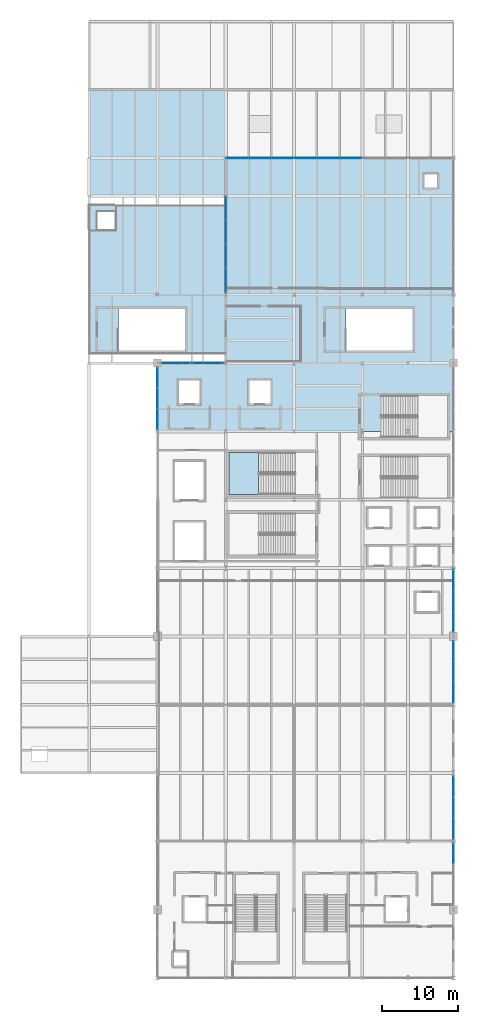
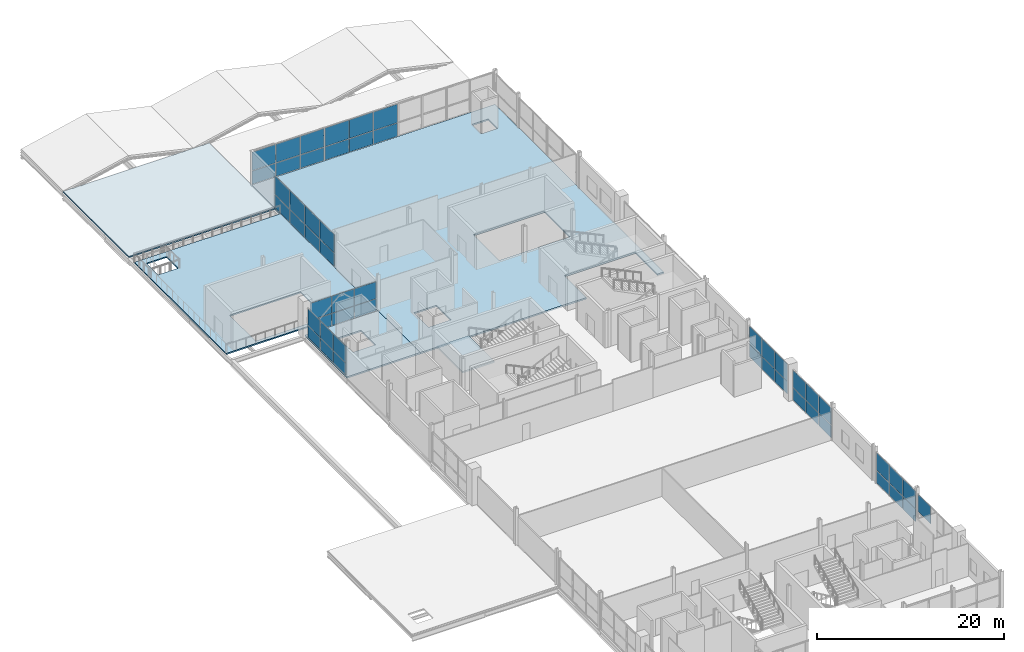
# One storey, part 35 of 50: 51 plates, 5 slabs, 10 elements without a shape of their own.
"""IFC4 building model written with IfcOpenShell, lengths in metres."""

from ifc_helpers import new_model, si_unit, direction, frame, origin, origin_2d, place, context, subcontext, project, spatial, polyline, rectangle, outline, extrude, material, layer, layer_set, type_object, element, aggregate, save


model = new_model("IFC4")

# Units and contexts
model_context = context("Model", 3, precision=1e-05, world=origin(), true_north=direction((0.0, 1.0)))
body_context = subcontext(model_context, "Body", "Model", "MODEL_VIEW")
ifc_project = project(units=[si_unit("LENGTHUNIT", "METRE"), si_unit("AREAUNIT", "SQUARE_METRE"), si_unit("VOLUMEUNIT", "CUBIC_METRE"), si_unit("PLANEANGLEUNIT", "RADIAN"), si_unit("MASSUNIT", "GRAM", prefix="KILO")], contexts=[model_context])

# Site, building, storey
site_placement = place(None, origin())
site = spatial("IfcSite", under=ifc_project, at=site_placement, CompositionType="ELEMENT")
building_placement = place(site_placement, origin())
building = spatial("IfcBuilding", under=site, at=building_placement, Name="Qamarlyn Nura Convention Centre", CompositionType="ELEMENT")
storey_placement = place(building_placement, frame((0.0, 0.0, 20.39990234375)))
storey = spatial("IfcBuildingStorey", under=building, at=storey_placement, Name="L04", CompositionType="ELEMENT", Elevation=20.39990234375)

# Curtain wall, plate
ifc_material_1 = material(Name="Double-silver low-E insulated glass", Category="glass")
ifc_layer_1 = layer(ifc_material_1, 0.179931640625, Name="CW-UNIT-134")
ifc_layer_set_1 = layer_set([ifc_layer_1], Name="Double-silver low-E insulated glass")
curtain_wall_type_1 = type_object("IfcCurtainWallType", Name="CW-UNIT-134", PredefinedType="NOTDEFINED", material=ifc_layer_set_1)
curtain_wall_1_placement = place(storey_placement, origin())
curtain_wall_1 = element("IfcCurtainWall", 1, at=curtain_wall_1_placement, inside=storey, type_object=curtain_wall_type_1, Name="L04 unitised curtain wall EAST-2-1", PredefinedType="NOTDEFINED")
ifc_layer_2 = layer(ifc_material_1, 0.028076171875, Name="CWP-VIS-28")
ifc_layer_set_2 = layer_set([ifc_layer_2], Name="Double-silver low-E insulated glass")
plate_type_1 = type_object("IfcPlateType", Name="CWP-VIS-28", PredefinedType="CURTAIN_PANEL", material=ifc_layer_set_2)
plate_1_placement = place(storey_placement, frame((192.0, 16.409912109375, 1.713134765625), z_axis=(0.0, 0.0, 1.0), x_axis=(0.0, -1.0, 0.0)))
plate_1 = element("IfcPlate", 2, at=plate_1_placement, type_object=plate_type_1, Name="CW134 panel 1.2", PredefinedType="CURTAIN_PANEL", context=body_context, shape_type="SweptSolid", body=[
    extrude(rectangle(XDim=2.659912109375, YDim=0.028076171875, at=origin_2d()), origin(), (0.0, 0.0, 1.0), 2.23291015625),
])
aggregate(curtain_wall_1, [plate_1])

# Curtain wall, plates
curtain_wall_2_placement = place(storey_placement, origin())
curtain_wall_2 = element("IfcCurtainWall", 3, at=curtain_wall_2_placement, inside=storey, type_object=curtain_wall_type_1, Name="L04 unitised curtain wall EAST-5-1", PredefinedType="NOTDEFINED")
plate_2_placement = place(storey_placement, frame((192.0, 43.060791015625, 0.065185546875), z_axis=(0.0, 0.0, 1.0), x_axis=(0.0, -1.0, 0.0)))
plate_2 = element("IfcPlate", 4, at=plate_2_placement, type_object=plate_type_1, Name="CW134 panel 1.1", PredefinedType="CURTAIN_PANEL", context=body_context, shape_type="SweptSolid", body=[
    extrude(rectangle(XDim=2.6484375, YDim=0.028076171875, at=origin_2d()), origin(), (0.0, 0.0, 1.0), 1.58544921875),
])
plate_3_placement = place(storey_placement, frame((192.0, 43.060791015625, 1.715576171875), z_axis=(0.0, 0.0, 1.0), x_axis=(0.0, -1.0, 0.0)))
plate_3 = element("IfcPlate", 5, at=plate_3_placement, type_object=plate_type_1, Name="CW134 panel 1.2", PredefinedType="CURTAIN_PANEL", context=body_context, shape_type="SweptSolid", body=[
    extrude(rectangle(XDim=2.6484375, YDim=0.028076171875, at=origin_2d()), origin(), (0.0, 0.0, 1.0), 2.2255859375),
])
plate_4_placement = place(storey_placement, frame((192.0, 40.331298828125, 0.065185546875), z_axis=(0.0, 0.0, 1.0), x_axis=(0.0, -1.0, 0.0)))
plate_4 = element("IfcPlate", 6, at=plate_4_placement, type_object=plate_type_1, Name="CW134 panel 2.1", PredefinedType="CURTAIN_PANEL", context=body_context, shape_type="SweptSolid", body=[
    extrude(rectangle(XDim=2.680908203125, YDim=0.028076171875, at=origin_2d()), origin(), (0.0, 0.0, 1.0), 1.58544921875),
])
plate_5_placement = place(storey_placement, frame((192.0, 40.331298828125, 1.715576171875), z_axis=(0.0, 0.0, 1.0), x_axis=(0.0, -1.0, 0.0)))
plate_5 = element("IfcPlate", 7, at=plate_5_placement, type_object=plate_type_1, Name="CW134 panel 2.2", PredefinedType="CURTAIN_PANEL", context=body_context, shape_type="SweptSolid", body=[
    extrude(rectangle(XDim=2.680908203125, YDim=0.028076171875, at=origin_2d()), origin(), (0.0, 0.0, 1.0), 2.2255859375),
])
plate_6_placement = place(storey_placement, frame((192.0, 37.6015625, 0.065185546875), z_axis=(0.0, 0.0, 1.0), x_axis=(0.0, -1.0, 0.0)))
plate_6 = element("IfcPlate", 8, at=plate_6_placement, type_object=plate_type_1, Name="CW134 panel 3.1", PredefinedType="CURTAIN_PANEL", context=body_context, shape_type="SweptSolid", body=[
    extrude(rectangle(XDim=2.6484375, YDim=0.028076171875, at=origin_2d()), origin(), (0.0, 0.0, 1.0), 1.58544921875),
])
plate_7_placement = place(storey_placement, frame((192.0, 37.6015625, 1.715576171875), z_axis=(0.0, 0.0, 1.0), x_axis=(0.0, -1.0, 0.0)))
plate_7 = element("IfcPlate", 9, at=plate_7_placement, type_object=plate_type_1, Name="CW134 panel 3.2", PredefinedType="CURTAIN_PANEL", context=body_context, shape_type="SweptSolid", body=[
    extrude(rectangle(XDim=2.6484375, YDim=0.028076171875, at=origin_2d()), origin(), (0.0, 0.0, 1.0), 2.2255859375),
])
aggregate(curtain_wall_2, [plate_2, plate_3, plate_4, plate_5, plate_6, plate_7])

ifc_layer_3 = layer(ifc_material_1, 0.179931640625, Name="CW-UNIT-136")
ifc_layer_set_3 = layer_set([ifc_layer_3], Name="Double-silver low-E insulated glass")
curtain_wall_type_2 = type_object("IfcCurtainWallType", Name="CW-UNIT-136", PredefinedType="NOTDEFINED", material=ifc_layer_set_3)
curtain_wall_3_placement = place(storey_placement, origin())
curtain_wall_3 = element("IfcCurtainWall", 10, at=curtain_wall_3_placement, inside=storey, type_object=curtain_wall_type_2, Name="L04 unitised curtain wall EAST-6-1", PredefinedType="NOTDEFINED")
plate_8_placement = place(storey_placement, frame((192.0, 52.409912109375, 0.06005859375), z_axis=(0.0, 0.0, 1.0), x_axis=(0.0, -1.0, 0.0)))
plate_8 = element("IfcPlate", 11, at=plate_8_placement, type_object=plate_type_1, Name="CW136 panel 1.1", PredefinedType="CURTAIN_PANEL", context=body_context, shape_type="SweptSolid", body=[
    extrude(rectangle(XDim=2.659912109375, YDim=0.028076171875, at=origin_2d()), origin(), (0.0, 0.0, 1.0), 1.623046875),
])
plate_9_placement = place(storey_placement, frame((192.0, 52.409912109375, 1.7431640625), z_axis=(0.0, 0.0, 1.0), x_axis=(0.0, -1.0, 0.0)))
plate_9 = element("IfcPlate", 12, at=plate_9_placement, type_object=plate_type_1, Name="CW136 panel 1.2", PredefinedType="CURTAIN_PANEL", context=body_context, shape_type="SweptSolid", body=[
    extrude(rectangle(XDim=2.659912109375, YDim=0.028076171875, at=origin_2d()), origin(), (0.0, 0.0, 1.0), 2.27587890625),
])
plate_10_placement = place(storey_placement, frame((192.0, 49.675048828125, 0.06005859375), z_axis=(0.0, 0.0, 1.0), x_axis=(0.0, -1.0, 0.0)))
plate_10 = element("IfcPlate", 13, at=plate_10_placement, type_object=plate_type_1, Name="CW136 panel 2.1", PredefinedType="CURTAIN_PANEL", context=body_context, shape_type="SweptSolid", body=[
    extrude(rectangle(XDim=2.68994140625, YDim=0.028076171875, at=origin_2d()), origin(), (0.0, 0.0, 1.0), 1.623046875),
])
plate_11_placement = place(storey_placement, frame((192.0, 49.675048828125, 1.7431640625), z_axis=(0.0, 0.0, 1.0), x_axis=(0.0, -1.0, 0.0)))
plate_11 = element("IfcPlate", 14, at=plate_11_placement, type_object=plate_type_1, Name="CW136 panel 2.2", PredefinedType="CURTAIN_PANEL", context=body_context, shape_type="SweptSolid", body=[
    extrude(rectangle(XDim=2.68994140625, YDim=0.028076171875, at=origin_2d()), origin(), (0.0, 0.0, 1.0), 2.27587890625),
])
plate_12_placement = place(storey_placement, frame((192.0, 46.93994140625, 0.06005859375), z_axis=(0.0, 0.0, 1.0), x_axis=(0.0, -1.0, 0.0)))
plate_12 = element("IfcPlate", 15, at=plate_12_placement, type_object=plate_type_1, Name="CW136 panel 3.1", PredefinedType="CURTAIN_PANEL", context=body_context, shape_type="SweptSolid", body=[
    extrude(rectangle(XDim=2.659912109375, YDim=0.028076171875, at=origin_2d()), origin(), (0.0, 0.0, 1.0), 1.623046875),
])
plate_13_placement = place(storey_placement, frame((192.0, 46.93994140625, 1.7431640625), z_axis=(0.0, 0.0, 1.0), x_axis=(0.0, -1.0, 0.0)))
plate_13 = element("IfcPlate", 16, at=plate_13_placement, type_object=plate_type_1, Name="CW136 panel 3.2", PredefinedType="CURTAIN_PANEL", context=body_context, shape_type="SweptSolid", body=[
    extrude(rectangle(XDim=2.659912109375, YDim=0.028076171875, at=origin_2d()), origin(), (0.0, 0.0, 1.0), 2.27587890625),
])
aggregate(curtain_wall_3, [plate_8, plate_9, plate_10, plate_11, plate_12, plate_13])

ifc_layer_4 = layer(ifc_material_1, 0.179931640625, Name="CW-UNIT-147")
ifc_layer_set_4 = layer_set([ifc_layer_4], Name="Double-silver low-E insulated glass")
curtain_wall_type_3 = type_object("IfcCurtainWallType", Name="CW-UNIT-147", PredefinedType="NOTDEFINED", material=ifc_layer_set_4)
curtain_wall_4_placement = place(storey_placement, origin())
curtain_wall_4 = element("IfcCurtainWall", 17, at=curtain_wall_4_placement, inside=storey, type_object=curtain_wall_type_3, Name="L04 unitised curtain wall FF3N-81-1", PredefinedType="NOTDEFINED")
plate_14_placement = place(storey_placement, frame((154.942626953125, 81.0, 0.06005859375), z_axis=(0.0, 0.0, 1.0), x_axis=(1.0, 0.0, 0.0)))
plate_14 = element("IfcPlate", 18, at=plate_14_placement, type_object=plate_type_1, Name="CW147 panel 1.1", PredefinedType="CURTAIN_PANEL", context=body_context, shape_type="SweptSolid", body=[
    extrude(rectangle(XDim=2.665283203125, YDim=0.028076171875, at=origin_2d()), origin(), (0.0, 0.0, 1.0), 1.56201171875),
])
plate_15_placement = place(storey_placement, frame((154.942626953125, 81.0, 1.68212890625), z_axis=(0.0, 0.0, 1.0), x_axis=(1.0, 0.0, 0.0)))
plate_15 = element("IfcPlate", 19, at=plate_15_placement, type_object=plate_type_1, Name="CW147 panel 1.2", PredefinedType="CURTAIN_PANEL", context=body_context, shape_type="SweptSolid", body=[
    extrude(rectangle(XDim=2.665283203125, YDim=0.028076171875, at=origin_2d()), origin(), (0.0, 0.0, 1.0), 2.19189453125),
])
plate_16_placement = place(storey_placement, frame((157.682861328125, 81.0, 0.06005859375), z_axis=(0.0, 0.0, 1.0), x_axis=(1.0, 0.0, 0.0)))
plate_16 = element("IfcPlate", 20, at=plate_16_placement, type_object=plate_type_1, Name="CW147 panel 2.1", PredefinedType="CURTAIN_PANEL", context=body_context, shape_type="SweptSolid", body=[
    extrude(rectangle(XDim=2.695068359375, YDim=0.028076171875, at=origin_2d()), origin(), (0.0, 0.0, 1.0), 1.56201171875),
])
plate_17_placement = place(storey_placement, frame((157.682861328125, 81.0, 1.68212890625), z_axis=(0.0, 0.0, 1.0), x_axis=(1.0, 0.0, 0.0)))
plate_17 = element("IfcPlate", 21, at=plate_17_placement, type_object=plate_type_1, Name="CW147 panel 2.2", PredefinedType="CURTAIN_PANEL", context=body_context, shape_type="SweptSolid", body=[
    extrude(rectangle(XDim=2.695068359375, YDim=0.028076171875, at=origin_2d()), origin(), (0.0, 0.0, 1.0), 2.19189453125),
])
plate_18_placement = place(storey_placement, frame((160.4228515625, 81.0, 0.06005859375), z_axis=(0.0, 0.0, 1.0), x_axis=(1.0, 0.0, 0.0)))
plate_18 = element("IfcPlate", 22, at=plate_18_placement, type_object=plate_type_1, Name="CW147 panel 3.1", PredefinedType="CURTAIN_PANEL", context=body_context, shape_type="SweptSolid", body=[
    extrude(rectangle(XDim=2.665283203125, YDim=0.028076171875, at=origin_2d()), origin(), (0.0, 0.0, 1.0), 1.56201171875),
])
plate_19_placement = place(storey_placement, frame((160.4228515625, 81.0, 1.68212890625), z_axis=(0.0, 0.0, 1.0), x_axis=(1.0, 0.0, 0.0)))
plate_19 = element("IfcPlate", 23, at=plate_19_placement, type_object=plate_type_1, Name="CW147 panel 3.2", PredefinedType="CURTAIN_PANEL", context=body_context, shape_type="SweptSolid", body=[
    extrude(rectangle(XDim=2.665283203125, YDim=0.028076171875, at=origin_2d()), origin(), (0.0, 0.0, 1.0), 2.19189453125),
])
aggregate(curtain_wall_4, [plate_14, plate_15, plate_16, plate_17, plate_18, plate_19])

ifc_layer_5 = layer(ifc_material_1, 0.179931640625, Name="CW-UNIT-148")
ifc_layer_set_5 = layer_set([ifc_layer_5], Name="Double-silver low-E insulated glass")
curtain_wall_type_4 = type_object("IfcCurtainWallType", Name="CW-UNIT-148", PredefinedType="NOTDEFINED", material=ifc_layer_set_5)
curtain_wall_5_placement = place(storey_placement, origin())
curtain_wall_5 = element("IfcCurtainWall", 24, at=curtain_wall_5_placement, inside=storey, type_object=curtain_wall_type_4, Name="L04 unitised curtain wall DLW-90-1", PredefinedType="NOTDEFINED")
plate_20_placement = place(storey_placement, frame((162.0, 91.87841796875, 0.070068359375), z_axis=(0.0, 0.0, 1.0), x_axis=(0.0, 1.0, 0.0)))
plate_20 = element("IfcPlate", 25, at=plate_20_placement, type_object=plate_type_1, Name="CW148 panel 1.1", PredefinedType="CURTAIN_PANEL", context=body_context, shape_type="SweptSolid", body=[
    extrude(rectangle(XDim=3.07763671875, YDim=0.028076171875, at=origin_2d()), origin(), (0.0, 0.0, 1.0), 1.705078125),
])
plate_21_placement = place(storey_placement, frame((162.0, 91.87841796875, 1.844970703125), z_axis=(0.0, 0.0, 1.0), x_axis=(0.0, 1.0, 0.0)))
plate_21 = element("IfcPlate", 26, at=plate_21_placement, type_object=plate_type_1, Name="CW148 panel 1.2", PredefinedType="CURTAIN_PANEL", context=body_context, shape_type="SweptSolid", body=[
    extrude(rectangle(XDim=3.07763671875, YDim=0.028076171875, at=origin_2d()), origin(), (0.0, 0.0, 1.0), 2.39501953125),
])
plate_22_placement = place(storey_placement, frame((162.0, 95.04345703125, 0.070068359375), z_axis=(0.0, 0.0, 1.0), x_axis=(0.0, 1.0, 0.0)))
plate_22 = element("IfcPlate", 27, at=plate_22_placement, type_object=plate_type_1, Name="CW148 panel 2.1", PredefinedType="CURTAIN_PANEL", context=body_context, shape_type="SweptSolid", body=[
    extrude(rectangle(XDim=3.112548828125, YDim=0.028076171875, at=origin_2d()), origin(), (0.0, 0.0, 1.0), 1.705078125),
])
plate_23_placement = place(storey_placement, frame((162.0, 95.04345703125, 1.844970703125), z_axis=(0.0, 0.0, 1.0), x_axis=(0.0, 1.0, 0.0)))
plate_23 = element("IfcPlate", 28, at=plate_23_placement, type_object=plate_type_1, Name="CW148 panel 2.2", PredefinedType="CURTAIN_PANEL", context=body_context, shape_type="SweptSolid", body=[
    extrude(rectangle(XDim=3.112548828125, YDim=0.028076171875, at=origin_2d()), origin(), (0.0, 0.0, 1.0), 2.39501953125),
])
plate_24_placement = place(storey_placement, frame((162.0, 98.22607421875, 0.070068359375), z_axis=(0.0, 0.0, 1.0), x_axis=(0.0, 1.0, 0.0)))
plate_24 = element("IfcPlate", 29, at=plate_24_placement, type_object=plate_type_1, Name="CW148 panel 3.1", PredefinedType="CURTAIN_PANEL", context=body_context, shape_type="SweptSolid", body=[
    extrude(rectangle(XDim=3.112548828125, YDim=0.028076171875, at=origin_2d()), origin(), (0.0, 0.0, 1.0), 1.705078125),
])
plate_25_placement = place(storey_placement, frame((162.0, 98.22607421875, 1.844970703125), z_axis=(0.0, 0.0, 1.0), x_axis=(0.0, 1.0, 0.0)))
plate_25 = element("IfcPlate", 30, at=plate_25_placement, type_object=plate_type_1, Name="CW148 panel 3.2", PredefinedType="CURTAIN_PANEL", context=body_context, shape_type="SweptSolid", body=[
    extrude(rectangle(XDim=3.112548828125, YDim=0.028076171875, at=origin_2d()), origin(), (0.0, 0.0, 1.0), 2.39501953125),
])
plate_26_placement = place(storey_placement, frame((162.0, 101.39111328125, 0.070068359375), z_axis=(0.0, 0.0, 1.0), x_axis=(0.0, 1.0, 0.0)))
plate_26 = element("IfcPlate", 31, at=plate_26_placement, type_object=plate_type_1, Name="CW148 panel 4.1", PredefinedType="CURTAIN_PANEL", context=body_context, shape_type="SweptSolid", body=[
    extrude(rectangle(XDim=3.07763671875, YDim=0.028076171875, at=origin_2d()), origin(), (0.0, 0.0, 1.0), 1.705078125),
])
plate_27_placement = place(storey_placement, frame((162.0, 101.39111328125, 1.844970703125), z_axis=(0.0, 0.0, 1.0), x_axis=(0.0, 1.0, 0.0)))
plate_27 = element("IfcPlate", 32, at=plate_27_placement, type_object=plate_type_1, Name="CW148 panel 4.2", PredefinedType="CURTAIN_PANEL", context=body_context, shape_type="SweptSolid", body=[
    extrude(rectangle(XDim=3.07763671875, YDim=0.028076171875, at=origin_2d()), origin(), (0.0, 0.0, 1.0), 2.39501953125),
])
aggregate(curtain_wall_5, [plate_20, plate_21, plate_22, plate_23, plate_24, plate_25, plate_26, plate_27])

ifc_layer_6 = layer(ifc_material_1, 0.179931640625, Name="CW-UNIT-149")
ifc_layer_set_6 = layer_set([ifc_layer_6], Name="Double-silver low-E insulated glass")
curtain_wall_type_5 = type_object("IfcCurtainWallType", Name="CW-UNIT-149", PredefinedType="NOTDEFINED", material=ifc_layer_set_6)
curtain_wall_6_placement = place(storey_placement, origin())
curtain_wall_6 = element("IfcCurtainWall", 33, at=curtain_wall_6_placement, inside=storey, type_object=curtain_wall_type_5, Name="L04 unitised curtain wall DLN-162-1", PredefinedType="NOTDEFINED")
plate_28_placement = place(storey_placement, frame((163.516357421875, 108.0, 0.065185546875), z_axis=(0.0, 0.0, 1.0), x_axis=(1.0, 0.0, 0.0)))
plate_28 = element("IfcPlate", 34, at=plate_28_placement, type_object=plate_type_1, Name="CW149 panel 1.1", PredefinedType="CURTAIN_PANEL", context=body_context, shape_type="SweptSolid", body=[
    extrude(rectangle(XDim=2.902587890625, YDim=0.028076171875, at=origin_2d()), origin(), (0.0, 0.0, 1.0), 1.71240234375),
])
plate_29_placement = place(storey_placement, frame((163.516357421875, 108.0, 1.8427734375), z_axis=(0.0, 0.0, 1.0), x_axis=(1.0, 0.0, 0.0)))
plate_29 = element("IfcPlate", 35, at=plate_29_placement, type_object=plate_type_1, Name="CW149 panel 1.2", PredefinedType="CURTAIN_PANEL", context=body_context, shape_type="SweptSolid", body=[
    extrude(rectangle(XDim=2.902587890625, YDim=0.028076171875, at=origin_2d()), origin(), (0.0, 0.0, 1.0), 2.402587890625),
])
plate_30_placement = place(storey_placement, frame((166.5, 108.0, 0.065185546875), z_axis=(0.0, 0.0, 1.0), x_axis=(1.0, 0.0, 0.0)))
plate_30 = element("IfcPlate", 36, at=plate_30_placement, type_object=plate_type_1, Name="CW149 panel 2.1", PredefinedType="CURTAIN_PANEL", context=body_context, shape_type="SweptSolid", body=[
    extrude(rectangle(XDim=2.93505859375, YDim=0.028076171875, at=origin_2d()), origin(), (0.0, 0.0, 1.0), 1.71240234375),
])
plate_31_placement = place(storey_placement, frame((166.5, 108.0, 1.8427734375), z_axis=(0.0, 0.0, 1.0), x_axis=(1.0, 0.0, 0.0)))
plate_31 = element("IfcPlate", 37, at=plate_31_placement, type_object=plate_type_1, Name="CW149 panel 2.2", PredefinedType="CURTAIN_PANEL", context=body_context, shape_type="SweptSolid", body=[
    extrude(rectangle(XDim=2.93505859375, YDim=0.028076171875, at=origin_2d()), origin(), (0.0, 0.0, 1.0), 2.402587890625),
])
plate_32_placement = place(storey_placement, frame((169.483642578125, 108.0, 0.065185546875), z_axis=(0.0, 0.0, 1.0), x_axis=(1.0, 0.0, 0.0)))
plate_32 = element("IfcPlate", 38, at=plate_32_placement, type_object=plate_type_1, Name="CW149 panel 3.1", PredefinedType="CURTAIN_PANEL", context=body_context, shape_type="SweptSolid", body=[
    extrude(rectangle(XDim=2.902587890625, YDim=0.028076171875, at=origin_2d()), origin(), (0.0, 0.0, 1.0), 1.71240234375),
])
plate_33_placement = place(storey_placement, frame((169.483642578125, 108.0, 1.8427734375), z_axis=(0.0, 0.0, 1.0), x_axis=(1.0, 0.0, 0.0)))
plate_33 = element("IfcPlate", 39, at=plate_33_placement, type_object=plate_type_1, Name="CW149 panel 3.2", PredefinedType="CURTAIN_PANEL", context=body_context, shape_type="SweptSolid", body=[
    extrude(rectangle(XDim=2.902587890625, YDim=0.028076171875, at=origin_2d()), origin(), (0.0, 0.0, 1.0), 2.402587890625),
])
aggregate(curtain_wall_6, [plate_28, plate_29, plate_30, plate_31, plate_32, plate_33])

ifc_layer_7 = layer(ifc_material_1, 0.179931640625, Name="CW-UNIT-135")
ifc_layer_set_7 = layer_set([ifc_layer_7], Name="Double-silver low-E insulated glass")
curtain_wall_type_6 = type_object("IfcCurtainWallType", Name="CW-UNIT-135", PredefinedType="NOTDEFINED", material=ifc_layer_set_7)
curtain_wall_7_placement = place(storey_placement, origin())
curtain_wall_7 = element("IfcCurtainWall", 40, at=curtain_wall_7_placement, inside=storey, type_object=curtain_wall_type_6, Name="L04 unitised curtain wall EAST-3-1", PredefinedType="NOTDEFINED")
ifc_layer_8 = layer(ifc_material_1, 0.031982421875, Name="CWP-VIS-32")
ifc_layer_set_8 = layer_set([ifc_layer_8], Name="Double-silver low-E insulated glass")
plate_type_2 = type_object("IfcPlateType", Name="CWP-VIS-32", PredefinedType="CURTAIN_PANEL", material=ifc_layer_set_8)
plate_34_placement = place(storey_placement, frame((192.0, 25.226318359375, 0.070068359375), z_axis=(0.0, 0.0, 1.0), x_axis=(0.0, -1.0, 0.0)))
plate_34 = element("IfcPlate", 41, at=plate_34_placement, type_object=plate_type_2, Name="CW135 panel 1.1", PredefinedType="CURTAIN_PANEL", context=body_context, shape_type="SweptSolid", body=[
    extrude(rectangle(XDim=2.71240234375, YDim=0.031982421875, at=origin_2d()), origin(), (0.0, 0.0, 1.0), 1.60791015625),
])
plate_35_placement = place(storey_placement, frame((192.0, 25.226318359375, 1.748046875), z_axis=(0.0, 0.0, 1.0), x_axis=(0.0, -1.0, 0.0)))
plate_35 = element("IfcPlate", 42, at=plate_35_placement, type_object=plate_type_2, Name="CW135 panel 1.2", PredefinedType="CURTAIN_PANEL", context=body_context, shape_type="SweptSolid", body=[
    extrude(rectangle(XDim=2.71240234375, YDim=0.031982421875, at=origin_2d()), origin(), (0.0, 0.0, 1.0), 2.260986328125),
])
plate_36_placement = place(storey_placement, frame((192.0, 22.42626953125, 0.070068359375), z_axis=(0.0, 0.0, 1.0), x_axis=(0.0, -1.0, 0.0)))
plate_36 = element("IfcPlate", 43, at=plate_36_placement, type_object=plate_type_2, Name="CW135 panel 2.1", PredefinedType="CURTAIN_PANEL", context=body_context, shape_type="SweptSolid", body=[
    extrude(rectangle(XDim=2.74755859375, YDim=0.031982421875, at=origin_2d()), origin(), (0.0, 0.0, 1.0), 1.60791015625),
])
plate_37_placement = place(storey_placement, frame((192.0, 22.42626953125, 1.748046875), z_axis=(0.0, 0.0, 1.0), x_axis=(0.0, -1.0, 0.0)))
plate_37 = element("IfcPlate", 44, at=plate_37_placement, type_object=plate_type_2, Name="CW135 panel 2.2", PredefinedType="CURTAIN_PANEL", context=body_context, shape_type="SweptSolid", body=[
    extrude(rectangle(XDim=2.74755859375, YDim=0.031982421875, at=origin_2d()), origin(), (0.0, 0.0, 1.0), 2.260986328125),
])
plate_38_placement = place(storey_placement, frame((192.0, 19.626220703125, 0.070068359375), z_axis=(0.0, 0.0, 1.0), x_axis=(0.0, -1.0, 0.0)))
plate_38 = element("IfcPlate", 45, at=plate_38_placement, type_object=plate_type_2, Name="CW135 panel 3.1", PredefinedType="CURTAIN_PANEL", context=body_context, shape_type="SweptSolid", body=[
    extrude(rectangle(XDim=2.71240234375, YDim=0.031982421875, at=origin_2d()), origin(), (0.0, 0.0, 1.0), 1.60791015625),
])
plate_39_placement = place(storey_placement, frame((192.0, 19.626220703125, 1.748046875), z_axis=(0.0, 0.0, 1.0), x_axis=(0.0, -1.0, 0.0)))
plate_39 = element("IfcPlate", 46, at=plate_39_placement, type_object=plate_type_2, Name="CW135 panel 3.2", PredefinedType="CURTAIN_PANEL", context=body_context, shape_type="SweptSolid", body=[
    extrude(rectangle(XDim=2.71240234375, YDim=0.031982421875, at=origin_2d()), origin(), (0.0, 0.0, 1.0), 2.260986328125),
])
aggregate(curtain_wall_7, [plate_34, plate_35, plate_36, plate_37, plate_38, plate_39])

ifc_layer_9 = layer(ifc_material_1, 0.179931640625, Name="CW-UNIT-145")
ifc_layer_set_9 = layer_set([ifc_layer_9], Name="Double-silver low-E insulated glass")
curtain_wall_type_7 = type_object("IfcCurtainWallType", Name="CW-UNIT-145", PredefinedType="NOTDEFINED", material=ifc_layer_set_9)
curtain_wall_8_placement = place(storey_placement, origin())
curtain_wall_8 = element("IfcCurtainWall", 47, at=curtain_wall_8_placement, inside=storey, type_object=curtain_wall_type_7, Name="L04 unitised curtain wall FF3W-72-1", PredefinedType="NOTDEFINED")
plate_40_placement = place(storey_placement, frame((153.0, 73.6015625, 0.065185546875), z_axis=(0.0, 0.0, 1.0), x_axis=(0.0, 1.0, 0.0)))
plate_40 = element("IfcPlate", 48, at=plate_40_placement, type_object=plate_type_2, Name="CW145 panel 1.1", PredefinedType="CURTAIN_PANEL", context=body_context, shape_type="SweptSolid", body=[
    extrude(rectangle(XDim=2.6484375, YDim=0.031982421875, at=origin_2d()), origin(), (0.0, 0.0, 1.0), 1.51953125),
])
plate_41_placement = place(storey_placement, frame((153.0, 73.6015625, 1.6494140625), z_axis=(0.0, 0.0, 1.0), x_axis=(0.0, 1.0, 0.0)))
plate_41 = element("IfcPlate", 49, at=plate_41_placement, type_object=plate_type_2, Name="CW145 panel 1.2", PredefinedType="CURTAIN_PANEL", context=body_context, shape_type="SweptSolid", body=[
    extrude(rectangle(XDim=2.6484375, YDim=0.031982421875, at=origin_2d()), origin(), (0.0, 0.0, 1.0), 2.135498046875),
])
plate_42_placement = place(storey_placement, frame((153.0, 76.331298828125, 0.065185546875), z_axis=(0.0, 0.0, 1.0), x_axis=(0.0, 1.0, 0.0)))
plate_42 = element("IfcPlate", 50, at=plate_42_placement, type_object=plate_type_2, Name="CW145 panel 2.1", PredefinedType="CURTAIN_PANEL", context=body_context, shape_type="SweptSolid", body=[
    extrude(rectangle(XDim=2.680908203125, YDim=0.031982421875, at=origin_2d()), origin(), (0.0, 0.0, 1.0), 1.51953125),
])
plate_43_placement = place(storey_placement, frame((153.0, 76.331298828125, 1.6494140625), z_axis=(0.0, 0.0, 1.0), x_axis=(0.0, 1.0, 0.0)))
plate_43 = element("IfcPlate", 51, at=plate_43_placement, type_object=plate_type_2, Name="CW145 panel 2.2", PredefinedType="CURTAIN_PANEL", context=body_context, shape_type="SweptSolid", body=[
    extrude(rectangle(XDim=2.680908203125, YDim=0.031982421875, at=origin_2d()), origin(), (0.0, 0.0, 1.0), 2.135498046875),
])
plate_44_placement = place(storey_placement, frame((153.0, 79.060791015625, 0.065185546875), z_axis=(0.0, 0.0, 1.0), x_axis=(0.0, 1.0, 0.0)))
plate_44 = element("IfcPlate", 52, at=plate_44_placement, type_object=plate_type_2, Name="CW145 panel 3.1", PredefinedType="CURTAIN_PANEL", context=body_context, shape_type="SweptSolid", body=[
    extrude(rectangle(XDim=2.6484375, YDim=0.031982421875, at=origin_2d()), origin(), (0.0, 0.0, 1.0), 1.51953125),
])
plate_45_placement = place(storey_placement, frame((153.0, 79.060791015625, 1.6494140625), z_axis=(0.0, 0.0, 1.0), x_axis=(0.0, 1.0, 0.0)))
plate_45 = element("IfcPlate", 53, at=plate_45_placement, type_object=plate_type_2, Name="CW145 panel 3.2", PredefinedType="CURTAIN_PANEL", context=body_context, shape_type="SweptSolid", body=[
    extrude(rectangle(XDim=2.6484375, YDim=0.031982421875, at=origin_2d()), origin(), (0.0, 0.0, 1.0), 2.135498046875),
])
aggregate(curtain_wall_8, [plate_40, plate_41, plate_42, plate_43, plate_44, plate_45])

curtain_wall_9_placement = place(storey_placement, origin())
curtain_wall_9 = element("IfcCurtainWall", 54, at=curtain_wall_9_placement, inside=storey, type_object=curtain_wall_type_5, Name="L04 unitised curtain wall DLN-171-1", PredefinedType="NOTDEFINED")
plate_46_placement = place(storey_placement, frame((172.514892578125, 108.0, 0.06005859375), z_axis=(0.0, 0.0, 1.0), x_axis=(1.0, 0.0, 0.0)))
plate_46 = element("IfcPlate", 55, at=plate_46_placement, type_object=plate_type_2, Name="CW149 panel 1.1", PredefinedType="CURTAIN_PANEL", context=body_context, shape_type="SweptSolid", body=[
    extrude(rectangle(XDim=2.909912109375, YDim=0.031982421875, at=origin_2d()), origin(), (0.0, 0.0, 1.0), 1.719970703125),
])
plate_47_placement = place(storey_placement, frame((172.514892578125, 108.0, 1.84033203125), z_axis=(0.0, 0.0, 1.0), x_axis=(1.0, 0.0, 0.0)))
plate_47 = element("IfcPlate", 56, at=plate_47_placement, type_object=plate_type_2, Name="CW149 panel 1.2", PredefinedType="CURTAIN_PANEL", context=body_context, shape_type="SweptSolid", body=[
    extrude(rectangle(XDim=2.909912109375, YDim=0.031982421875, at=origin_2d()), origin(), (0.0, 0.0, 1.0), 2.409912109375),
])
plate_48_placement = place(storey_placement, frame((175.5, 108.0, 0.06005859375), z_axis=(0.0, 0.0, 1.0), x_axis=(1.0, 0.0, 0.0)))
plate_48 = element("IfcPlate", 57, at=plate_48_placement, type_object=plate_type_2, Name="CW149 panel 2.1", PredefinedType="CURTAIN_PANEL", context=body_context, shape_type="SweptSolid", body=[
    extrude(rectangle(XDim=2.93994140625, YDim=0.031982421875, at=origin_2d()), origin(), (0.0, 0.0, 1.0), 1.719970703125),
])
plate_49_placement = place(storey_placement, frame((175.5, 108.0, 1.84033203125), z_axis=(0.0, 0.0, 1.0), x_axis=(1.0, 0.0, 0.0)))
plate_49 = element("IfcPlate", 58, at=plate_49_placement, type_object=plate_type_2, Name="CW149 panel 2.2", PredefinedType="CURTAIN_PANEL", context=body_context, shape_type="SweptSolid", body=[
    extrude(rectangle(XDim=2.93994140625, YDim=0.031982421875, at=origin_2d()), origin(), (0.0, 0.0, 1.0), 2.409912109375),
])
plate_50_placement = place(storey_placement, frame((178.485107421875, 108.0, 0.06005859375), z_axis=(0.0, 0.0, 1.0), x_axis=(1.0, 0.0, 0.0)))
plate_50 = element("IfcPlate", 59, at=plate_50_placement, type_object=plate_type_2, Name="CW149 panel 3.1", PredefinedType="CURTAIN_PANEL", context=body_context, shape_type="SweptSolid", body=[
    extrude(rectangle(XDim=2.909912109375, YDim=0.031982421875, at=origin_2d()), origin(), (0.0, 0.0, 1.0), 1.719970703125),
])
plate_51_placement = place(storey_placement, frame((178.485107421875, 108.0, 1.84033203125), z_axis=(0.0, 0.0, 1.0), x_axis=(1.0, 0.0, 0.0)))
plate_51 = element("IfcPlate", 60, at=plate_51_placement, type_object=plate_type_2, Name="CW149 panel 3.2", PredefinedType="CURTAIN_PANEL", context=body_context, shape_type="SweptSolid", body=[
    extrude(rectangle(XDim=2.909912109375, YDim=0.031982421875, at=origin_2d()), origin(), (0.0, 0.0, 1.0), 2.409912109375),
])
aggregate(curtain_wall_9, [plate_46, plate_47, plate_48, plate_49, plate_50, plate_51])

# Slabs
ifc_material_2 = material(Name="Concrete C40/50", Category="concrete")
ifc_layer_10 = layer(ifc_material_2, 0.159912109375, Name="RF-L04")
ifc_layer_set_10 = layer_set([ifc_layer_10], Name="Concrete C40/50")
slab_type_1 = type_object("IfcSlabType", Name="RF-L04", PredefinedType="ROOF", material=ifc_layer_set_10)
slab_1_placement = place(storey_placement, frame((0.0, 0.0, -0.159912109375)))
element("IfcSlab", 61, at=slab_1_placement, inside=storey, type_object=slab_type_1, Name="L04 flat roof deck R-L04-CG1", PredefinedType="ROOF", context=body_context, shape_type="SweptSolid", body=[
    extrude(outline(polyline([(162.0, 103.0), (162.0, 117.0), (144.0, 117.0), (144.0, 103.0), (162.0, 103.0)])), origin(), (0.0, 0.0, 1.0), 0.159912109375),
])
ifc_layer_11 = layer(ifc_material_2, 0.199951171875, Name="SL-L04")
ifc_layer_set_11 = layer_set([ifc_layer_11], Name="Concrete C40/50")
slab_type_2 = type_object("IfcSlabType", Name="SL-L04", PredefinedType="FLOOR", material=ifc_layer_set_11)
slab_2_placement = place(storey_placement, frame((0.0, 0.0, -0.199951171875)))
element("IfcSlab", 62, at=slab_2_placement, inside=storey, type_object=slab_type_2, Name="L04 floor slab L04-FF3", PredefinedType="FLOOR", context=body_context, shape_type="SweptSolid", body=[
    extrude(outline(polyline([(153.0, 72.0), (153.0, 81.0), (162.0, 81.0), (162.0, 72.0), (153.0, 72.0)]), holes=[polyline([(158.60009765625, 75.64990234375), (158.60009765625, 78.75), (155.800048828125, 78.75), (155.800048828125, 75.64990234375), (158.60009765625, 75.64990234375)])]), origin(), (0.0, 0.0, 1.0), 0.199951171875),
])
slab_3_placement = place(storey_placement, frame((0.0, 0.0, -0.199951171875)))
element("IfcSlab", 63, at=slab_3_placement, inside=storey, type_object=slab_type_2, Name="L04 floor slab L04-DL1", PredefinedType="FLOOR", context=body_context, shape_type="SweptSolid", body=[
    extrude(outline(polyline([(162.0, 108.0), (192.0, 108.0), (192.0, 72.0), (191.199951171875, 72.0), (191.199951171875, 76.699951171875), (182.4599609375, 76.699951171875), (182.4599609375, 72.0), (162.0, 72.0), (162.0, 108.0)]), holes=[polyline([(188.0, 106.0), (188.0, 104.0), (190.0, 104.0), (190.0, 106.0), (188.0, 106.0)]), polyline([(167.89990234375, 75.64990234375), (167.89990234375, 78.75), (165.10009765625, 78.75), (165.10009765625, 75.64990234375), (167.89990234375, 75.64990234375)]), polyline([(177.860107421875, 82.64990234375), (186.60009765625, 82.64990234375), (186.60009765625, 88.14990234375), (177.860107421875, 88.14990234375), (177.860107421875, 82.64990234375)])]), origin(), (0.0, 0.0, 1.0), 0.199951171875),
])

# Stair, slab
stair_type = type_object("IfcStairType", Name="STAIR-EXIT-48", PredefinedType="HALF_TURN_STAIR", material=ifc_material_2)
stair_placement = place(storey_placement, origin())
stair = element("IfcStair", 64, at=stair_placement, inside=storey, type_object=stair_type, Name="L04 Enclosed exit stair ST-12", PredefinedType="HALF_TURN_STAIR")
ifc_layer_12 = layer(ifc_material_2, 0.199951171875, Name="SL-LAND-200")
ifc_layer_set_12 = layer_set([ifc_layer_12], Name="Concrete C40/50")
slab_type_3 = type_object("IfcSlabType", Name="SL-LAND-200", PredefinedType="LANDING", material=ifc_layer_set_12)
slab_4_placement = place(storey_placement, frame((0.0, 0.0, 2.2001953125)))
slab_4 = element("IfcSlab", 65, at=slab_4_placement, type_object=slab_type_3, Name="ST-12 landing 1", PredefinedType="LANDING", context=body_context, shape_type="SweptSolid", body=[
    extrude(outline(polyline([(166.340087890625, 69.199951171875), (162.39990234375, 69.199951171875), (162.39990234375, 63.699951171875), (166.340087890625, 63.699951171875), (166.340087890625, 69.199951171875)])), origin(), (0.0, 0.0, 1.0), 0.199951171875),
])
aggregate(stair, [slab_4])

# Slab
ifc_layer_13 = layer(ifc_material_2, 0.1650390625, Name="SL-TERR-2")
ifc_layer_set_13 = layer_set([ifc_layer_13], Name="Concrete C40/50")
slab_type_4 = type_object("IfcSlabType", Name="SL-TERR-2", PredefinedType="FLOOR", material=ifc_layer_set_13)
slab_5_placement = place(storey_placement, frame((0.0, 0.0, -0.164794921875)))
element("IfcSlab", 66, at=slab_5_placement, inside=storey, type_object=slab_type_4, Name="L04 floor slab L04-TR1", PredefinedType="FLOOR", context=body_context, shape_type="SweptSolid", body=[
    extrude(outline(polyline([(144.0, 101.800048828125), (162.0, 101.800048828125), (162.0, 82.199951171875), (144.0, 82.199951171875), (144.0, 101.800048828125)]), holes=[polyline([(145.0, 101.0), (145.0, 98.5), (147.5, 98.5), (147.5, 101.0), (145.0, 101.0)]), polyline([(156.60009765625, 82.64990234375), (156.60009765625, 88.14990234375), (147.860107421875, 88.14990234375), (147.860107421875, 82.64990234375), (156.60009765625, 82.64990234375)])]), origin(), (0.0, 0.0, 1.0), 0.164794921875),
])

save(model, "model.ifc")
